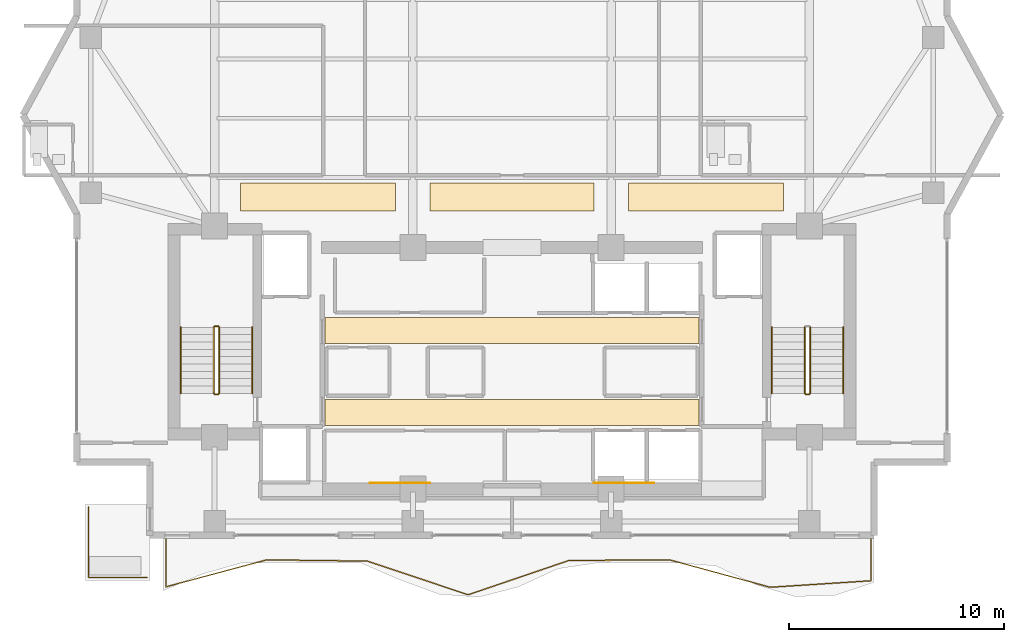
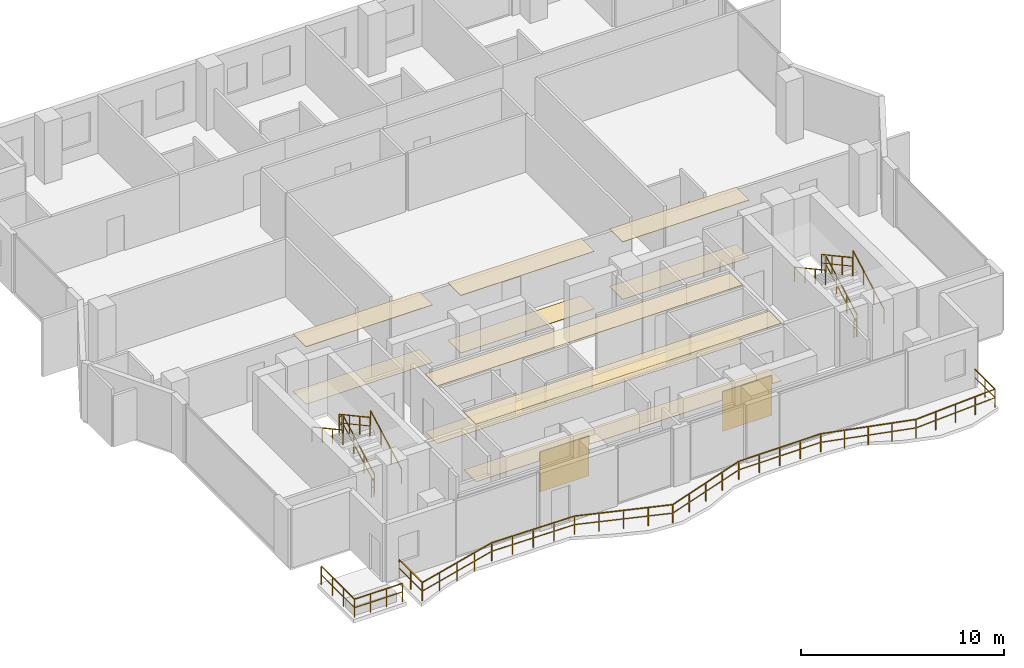
# One storey, part 22 of 25: 13 railings, 12 coverings.
"""IFC4 building model written with IfcOpenShell, lengths in metres."""

from ifc_helpers import new_model, si_unit, direction, frame, origin, origin_2d, place, context, subcontext, project, spatial, polyline, rectangle, outline, extrude, material, layer, layer_set, type_object, element, save


model = new_model("IFC4")

# Units and contexts
model_context = context("Model", 3, precision=1e-05, world=origin(), true_north=direction((0.0, 1.0)))
body_context = subcontext(model_context, "Body", "Model", "MODEL_VIEW")
ifc_project = project(units=[si_unit("LENGTHUNIT", "METRE"), si_unit("AREAUNIT", "SQUARE_METRE"), si_unit("VOLUMEUNIT", "CUBIC_METRE"), si_unit("PLANEANGLEUNIT", "RADIAN"), si_unit("MASSUNIT", "GRAM", prefix="KILO")], contexts=[model_context])

# Site, building, storey
site_placement = place(None, origin())
site = spatial("IfcSite", under=ifc_project, at=site_placement, CompositionType="ELEMENT")
building_placement = place(site_placement, origin())
building = spatial("IfcBuilding", under=site, at=building_placement, Name="Zuhayl Quay Hotel", CompositionType="ELEMENT")
storey_placement = place(building_placement, frame((0.0, 0.0, 243.35009765625)))
storey = spatial("IfcBuildingStorey", under=building, at=storey_placement, Name="L61", CompositionType="ELEMENT", Elevation=243.35009765625)

# Coverings
ifc_material_1 = material(Name="Acoustic Mineral-Fibre Gypsum Board")
ifc_layer_1 = layer(ifc_material_1, 0.02490234375, Name="Acoustic Mineral-Fibre Gypsum Board")
ifc_layer_set_1 = layer_set([ifc_layer_1], Name="Acoustic Mineral-Fibre Gypsum Board")
covering_type_1 = type_object("IfcCoveringType", Name="CV_CEIL_ACOUSTIC", PredefinedType="CEILING", material=ifc_layer_set_1)
covering_1_placement = place(storey_placement, frame((0.0, 0.0, 3.454833984375)))
element("IfcCovering", 1, at=covering_1_placement, inside=storey, type_object=covering_type_1, Name="L61 Suspended Acoustic Lobby Ceiling S", PredefinedType="CEILING", context=body_context, shape_type="SweptSolid", body=[
    extrude(outline(polyline([(-8.679931640625, 5.10009765625), (8.679931640625, 5.10009765625), (8.679931640625, 6.300048828125), (-8.679931640625, 6.300048828125), (-8.679931640625, 5.10009765625)])), origin(), (0.0, 0.0, 1.0), 0.025146484375),
])
covering_2_placement = place(storey_placement, frame((0.0, 0.0, 3.454833984375)))
element("IfcCovering", 2, at=covering_2_placement, inside=storey, type_object=covering_type_1, Name="L61 Suspended Acoustic Lobby Ceiling N", PredefinedType="CEILING", context=body_context, shape_type="SweptSolid", body=[
    extrude(outline(polyline([(-8.679931640625, 8.89990234375), (8.679931640625, 8.89990234375), (8.679931640625, 10.10009765625), (-8.679931640625, 10.10009765625), (-8.679931640625, 8.89990234375)])), origin(), (0.0, 0.0, 1.0), 0.025146484375),
])
covering_3_placement = place(storey_placement, frame((0.0, 0.0, 3.454833984375)))
element("IfcCovering", 3, at=covering_3_placement, inside=storey, type_object=covering_type_1, Name="L61 Guest Corridor Acoustic Ceiling CW", PredefinedType="CEILING", context=body_context, shape_type="SweptSolid", body=[
    extrude(outline(polyline([(-12.60009765625, 15.050048828125), (-5.39990234375, 15.050048828125), (-5.39990234375, 16.35009765625), (-12.60009765625, 16.35009765625), (-12.60009765625, 15.050048828125)])), origin(), (0.0, 0.0, 1.0), 0.025146484375),
])
covering_4_placement = place(storey_placement, frame((0.0, 0.0, 3.454833984375)))
element("IfcCovering", 4, at=covering_4_placement, inside=storey, type_object=covering_type_1, Name="L61 Guest Corridor Acoustic Ceiling CC", PredefinedType="CEILING", context=body_context, shape_type="SweptSolid", body=[
    extrude(outline(polyline([(-3.800048828125, 15.050048828125), (3.800048828125, 15.050048828125), (3.800048828125, 16.35009765625), (-3.800048828125, 16.35009765625), (-3.800048828125, 15.050048828125)])), origin(), (0.0, 0.0, 1.0), 0.025146484375),
])
covering_5_placement = place(storey_placement, frame((0.0, 0.0, 3.454833984375)))
element("IfcCovering", 5, at=covering_5_placement, inside=storey, type_object=covering_type_1, Name="L61 Guest Corridor Acoustic Ceiling CE", PredefinedType="CEILING", context=body_context, shape_type="SweptSolid", body=[
    extrude(outline(polyline([(5.39990234375, 15.050048828125), (12.60009765625, 15.050048828125), (12.60009765625, 16.35009765625), (5.39990234375, 16.35009765625), (5.39990234375, 15.050048828125)])), origin(), (0.0, 0.0, 1.0), 0.025146484375),
])
ifc_material_2 = material(Name="Polished Limestone Terrazzo", Category="masonry")
ifc_layer_2 = layer(ifc_material_2, 0.02001953125, Name="Polished Limestone Terrazzo", Category="masonry")
ifc_layer_set_2 = layer_set([ifc_layer_2], Name="Polished Limestone Terrazzo")
covering_type_2 = type_object("IfcCoveringType", Name="CV_FLOOR_TERRAZZO", PredefinedType="FLOORING", material=ifc_layer_set_2)
covering_6_placement = place(storey_placement, origin())
element("IfcCovering", 6, at=covering_6_placement, inside=storey, type_object=covering_type_2, Name="L61 Honed Limestone Terrazzo Lobby Flooring S", PredefinedType="FLOORING", context=body_context, shape_type="SweptSolid", body=[
    extrude(outline(polyline([(-8.679931640625, 5.10009765625), (8.679931640625, 5.10009765625), (8.679931640625, 6.300048828125), (-8.679931640625, 6.300048828125), (-8.679931640625, 5.10009765625)])), origin(), (0.0, 0.0, 1.0), 0.02001953125),
])
covering_7_placement = place(storey_placement, origin())
element("IfcCovering", 7, at=covering_7_placement, inside=storey, type_object=covering_type_2, Name="L61 Honed Limestone Terrazzo Lobby Flooring N", PredefinedType="FLOORING", context=body_context, shape_type="SweptSolid", body=[
    extrude(outline(polyline([(-8.679931640625, 8.89990234375), (8.679931640625, 8.89990234375), (8.679931640625, 10.10009765625), (-8.679931640625, 10.10009765625), (-8.679931640625, 8.89990234375)])), origin(), (0.0, 0.0, 1.0), 0.02001953125),
])
covering_8_placement = place(storey_placement, origin())
element("IfcCovering", 8, at=covering_8_placement, inside=storey, type_object=covering_type_2, Name="L61 Guest Corridor Terrazzo Runner CW", PredefinedType="FLOORING", context=body_context, shape_type="SweptSolid", body=[
    extrude(outline(polyline([(-12.60009765625, 15.050048828125), (-5.39990234375, 15.050048828125), (-5.39990234375, 16.35009765625), (-12.60009765625, 16.35009765625), (-12.60009765625, 15.050048828125)])), origin(), (0.0, 0.0, 1.0), 0.02001953125),
])
covering_9_placement = place(storey_placement, origin())
element("IfcCovering", 9, at=covering_9_placement, inside=storey, type_object=covering_type_2, Name="L61 Guest Corridor Terrazzo Runner CC", PredefinedType="FLOORING", context=body_context, shape_type="SweptSolid", body=[
    extrude(outline(polyline([(-3.800048828125, 15.050048828125), (3.800048828125, 15.050048828125), (3.800048828125, 16.35009765625), (-3.800048828125, 16.35009765625), (-3.800048828125, 15.050048828125)])), origin(), (0.0, 0.0, 1.0), 0.02001953125),
])
covering_10_placement = place(storey_placement, origin())
element("IfcCovering", 10, at=covering_10_placement, inside=storey, type_object=covering_type_2, Name="L61 Guest Corridor Terrazzo Runner CE", PredefinedType="FLOORING", context=body_context, shape_type="SweptSolid", body=[
    extrude(outline(polyline([(5.39990234375, 15.050048828125), (12.60009765625, 15.050048828125), (12.60009765625, 16.35009765625), (5.39990234375, 16.35009765625), (5.39990234375, 15.050048828125)])), origin(), (0.0, 0.0, 1.0), 0.02001953125),
])
ifc_material_3 = material(Name="Acoustic Walnut Feature Timber", Category="wood")
ifc_layer_3 = layer(ifc_material_3, 0.02197265625, Name="Acoustic Walnut Feature Timber", Category="wood")
ifc_layer_set_3 = layer_set([ifc_layer_3], Name="Acoustic Walnut Feature Timber")
covering_type_3 = type_object("IfcCoveringType", Name="CV_WALL_CLAD", PredefinedType="CLADDING", material=ifc_layer_set_3)
for number, where, z_axis, x_axis, name in (
    (11, (-5.199951171875, 2.43603515625, 0.300048828125), (0.0, 0.0, 1.0), (1.0, 0.0, 0.0), "L61 Feature Lobby Walnut Wall Cladding W"),
    (12, (5.199951171875, 2.43603515625, 0.300048828125), (0.0, 0.0, 1.0), (1.0, 0.0, 0.0), "L61 Feature Lobby Walnut Wall Cladding E"),
):
    element("IfcCovering", number, at=place(storey_placement, frame(where, z_axis=z_axis, x_axis=x_axis)), inside=storey, type_object=covering_type_3, Name=name, PredefinedType="CLADDING", context=body_context, shape_type="SweptSolid", body=[
        extrude(rectangle(XDim=2.800048828125, YDim=0.02197265625, at=origin_2d()), origin(), (0.0, 0.0, 1.0), 2.39990234375),
    ])

# Railings
ifc_material_4 = material(Name="Anodised Aluminium and Laminated Glass", Category="aluminium")
railing_type_1 = type_object("IfcRailingType", Name="RL_EXT_BAL_1100", PredefinedType="BALUSTRADE", material=ifc_material_4)
railing_1_placement = place(storey_placement, frame((-16.06005859375, -0.1201171875, 0.0)))
element("IfcRailing", 13, at=railing_1_placement, inside=storey, type_object=railing_type_1, Name="L61 Balcony and Terrace Guard GR_L61_BAL_S", PredefinedType="BALUSTRADE", context=body_context, shape_type="SweptSolid", body=[
    extrude(rectangle(XDim=0.048095703125, YDim=0.048095703125, at=origin_2d()), frame((0.0, 0.0, 1.09619140625), z_axis=(0.0, -1.0, 0.0), x_axis=(1.0, 0.0, 0.0)), (0.0, 0.0, 1.0), 2.271484375),
    extrude(rectangle(XDim=0.0361328125, YDim=0.0361328125, at=origin_2d()), frame((0.0, 0.0, 0.58251953125), z_axis=(0.0, -1.0, 0.0), x_axis=(1.0, 0.0, 0.0)), (0.0, 0.0, 1.0), 2.271484375),
    extrude(rectangle(XDim=0.048095703125, YDim=0.048095703125, at=origin_2d()), frame((0.0, -2.271484375, 1.09619140625), z_axis=(0.965965612369, 0.258670515754, 0.0), x_axis=(-0.258670515754, 0.965965612369, 0.0)), (0.0, 0.0, 1.0), 4.839111328125),
    extrude(rectangle(XDim=0.0361328125, YDim=0.0361328125, at=origin_2d()), frame((0.0, -2.271484375, 0.58251953125), z_axis=(0.965965612369, 0.258670515754, 0.0), x_axis=(-0.258670515754, 0.965965612369, 0.0)), (0.0, 0.0, 1.0), 4.839111328125),
    extrude(rectangle(XDim=0.048095703125, YDim=0.048095703125, at=origin_2d()), frame((4.67431640625, -1.019775390625, 1.09619140625), z_axis=(0.999925321264, -0.012220961307, 0.0), x_axis=(0.012220961307, 0.999925321264, 0.0)), (0.0, 0.0, 1.0), 4.674560546875),
    extrude(rectangle(XDim=0.0361328125, YDim=0.0361328125, at=origin_2d()), frame((4.67431640625, -1.019775390625, 0.58251953125), z_axis=(0.999925321264, -0.012220961307, 0.0), x_axis=(0.012220961307, 0.999925321264, 0.0)), (0.0, 0.0, 1.0), 4.674560546875),
    extrude(rectangle(XDim=0.048095703125, YDim=0.048095703125, at=origin_2d()), frame((9.3486328125, -1.076904296875, 1.09619140625), z_axis=(0.948385672641, -0.317119245599, 0.0), x_axis=(0.317119245599, 0.948385672641, 0.0)), (0.0, 0.0, 1.0), 4.9287109375),
    extrude(rectangle(XDim=0.0361328125, YDim=0.0361328125, at=origin_2d()), frame((9.3486328125, -1.076904296875, 0.58251953125), z_axis=(0.948385672641, -0.317119245599, 0.0), x_axis=(0.317119245599, 0.948385672641, 0.0)), (0.0, 0.0, 1.0), 4.9287109375),
    extrude(rectangle(XDim=0.048095703125, YDim=0.048095703125, at=origin_2d()), frame((14.02294921875, -2.639892578125, 1.09619140625), z_axis=(0.946661780078, 0.322228915741, 0.0), x_axis=(-0.322228915741, 0.946661780078, 0.0)), (0.0, 0.0, 1.0), 4.937744140625),
    extrude(rectangle(XDim=0.0361328125, YDim=0.0361328125, at=origin_2d()), frame((14.02294921875, -2.639892578125, 0.58251953125), z_axis=(0.946661780078, 0.322228915741, 0.0), x_axis=(-0.322228915741, 0.946661780078, 0.0)), (0.0, 0.0, 1.0), 4.937744140625),
    extrude(rectangle(XDim=0.048095703125, YDim=0.048095703125, at=origin_2d()), frame((18.697265625, -1.048828125, 1.09619140625), z_axis=(0.999980682959, 0.006215602051, 0.0), x_axis=(-0.006215602051, 0.999980682959, 0.0)), (0.0, 0.0, 1.0), 4.674072265625),
    extrude(rectangle(XDim=0.0361328125, YDim=0.0361328125, at=origin_2d()), frame((18.697265625, -1.048828125, 0.58251953125), z_axis=(0.999980682959, 0.006215602051, 0.0), x_axis=(-0.006215602051, 0.999980682959, 0.0)), (0.0, 0.0, 1.0), 4.674072265625),
    extrude(rectangle(XDim=0.048095703125, YDim=0.048095703125, at=origin_2d()), frame((23.371337890625, -1.019775390625, 1.09619140625), z_axis=(0.964912533593, -0.262571518856, 0.0), x_axis=(0.262571518856, 0.964912533593, 0.0)), (0.0, 0.0, 1.0), 4.84423828125),
    extrude(rectangle(XDim=0.0361328125, YDim=0.0361328125, at=origin_2d()), frame((23.371337890625, -1.019775390625, 0.58251953125), z_axis=(0.964912533593, -0.262571518856, 0.0), x_axis=(0.262571518856, 0.964912533593, 0.0)), (0.0, 0.0, 1.0), 4.84423828125),
    extrude(rectangle(XDim=0.048095703125, YDim=0.048095703125, at=origin_2d()), frame((28.045654296875, -2.291748046875, 1.09619140625), z_axis=(0.997912651022, 0.064578176884, 0.0), x_axis=(-0.064578176884, 0.997912651022, 0.0)), (0.0, 0.0, 1.0), 4.68408203125),
    extrude(rectangle(XDim=0.0361328125, YDim=0.0361328125, at=origin_2d()), frame((28.045654296875, -2.291748046875, 0.58251953125), z_axis=(0.997912651022, 0.064578176884, 0.0), x_axis=(-0.064578176884, 0.997912651022, 0.0)), (0.0, 0.0, 1.0), 4.68408203125),
    extrude(rectangle(XDim=0.048095703125, YDim=0.048095703125, at=origin_2d()), frame((32.719970703125, -1.9892578125, 1.09619140625), z_axis=(0.0, 1.0, 0.0), x_axis=(-1.0, 0.0, 0.0)), (0.0, 0.0, 1.0), 1.9892578125),
    extrude(rectangle(XDim=0.0361328125, YDim=0.0361328125, at=origin_2d()), frame((32.719970703125, -1.9892578125, 0.58251953125), z_axis=(0.0, 1.0, 0.0), x_axis=(-1.0, 0.0, 0.0)), (0.0, 0.0, 1.0), 1.9892578125),
    extrude(rectangle(XDim=0.0419921875, YDim=0.0419921875, at=origin_2d()), origin(), (0.0, 0.0, 1.0), 1.072021484375),
    extrude(rectangle(XDim=0.0419921875, YDim=0.0419921875, at=origin_2d()), frame((0.0, -1.1357421875, 0.0)), (0.0, 0.0, 1.0), 1.072021484375),
    extrude(rectangle(XDim=0.0419921875, YDim=0.0419921875, at=origin_2d()), frame((0.0, -2.271484375, 0.0)), (0.0, 0.0, 1.0), 1.072021484375),
    extrude(rectangle(XDim=0.0419921875, YDim=0.0419921875, at=origin_2d()), frame((1.16845703125, -1.95849609375, 0.0)), (0.0, 0.0, 1.0), 1.072021484375),
    extrude(rectangle(XDim=0.0419921875, YDim=0.0419921875, at=origin_2d()), frame((2.337158203125, -1.6455078125, 0.0)), (0.0, 0.0, 1.0), 1.072021484375),
    extrude(rectangle(XDim=0.0419921875, YDim=0.0419921875, at=origin_2d()), frame((3.505859375, -1.332763671875, 0.0)), (0.0, 0.0, 1.0), 1.072021484375),
    extrude(rectangle(XDim=0.0419921875, YDim=0.0419921875, at=origin_2d()), frame((4.67431640625, -1.019775390625, 0.0)), (0.0, 0.0, 1.0), 1.072021484375),
    extrude(rectangle(XDim=0.0419921875, YDim=0.0419921875, at=origin_2d()), frame((5.8427734375, -1.0341796875, 0.0)), (0.0, 0.0, 1.0), 1.072021484375),
    extrude(rectangle(XDim=0.0419921875, YDim=0.0419921875, at=origin_2d()), frame((7.011474609375, -1.04833984375, 0.0)), (0.0, 0.0, 1.0), 1.072021484375),
    extrude(rectangle(XDim=0.0419921875, YDim=0.0419921875, at=origin_2d()), frame((8.18017578125, -1.0625, 0.0)), (0.0, 0.0, 1.0), 1.072021484375),
    extrude(rectangle(XDim=0.0419921875, YDim=0.0419921875, at=origin_2d()), frame((9.3486328125, -1.076904296875, 0.0)), (0.0, 0.0, 1.0), 1.072021484375),
    extrude(rectangle(XDim=0.0419921875, YDim=0.0419921875, at=origin_2d()), frame((10.51708984375, -1.4677734375, 0.0)), (0.0, 0.0, 1.0), 1.072021484375),
    extrude(rectangle(XDim=0.0419921875, YDim=0.0419921875, at=origin_2d()), frame((11.685791015625, -1.8583984375, 0.0)), (0.0, 0.0, 1.0), 1.072021484375),
    extrude(rectangle(XDim=0.0419921875, YDim=0.0419921875, at=origin_2d()), frame((12.8544921875, -2.2490234375, 0.0)), (0.0, 0.0, 1.0), 1.072021484375),
    extrude(rectangle(XDim=0.0419921875, YDim=0.0419921875, at=origin_2d()), frame((14.02294921875, -2.639892578125, 0.0)), (0.0, 0.0, 1.0), 1.072021484375),
    extrude(rectangle(XDim=0.0419921875, YDim=0.0419921875, at=origin_2d()), frame((15.19140625, -2.2421875, 0.0)), (0.0, 0.0, 1.0), 1.072021484375),
    extrude(rectangle(XDim=0.0419921875, YDim=0.0419921875, at=origin_2d()), frame((16.360107421875, -1.84423828125, 0.0)), (0.0, 0.0, 1.0), 1.072021484375),
    extrude(rectangle(XDim=0.0419921875, YDim=0.0419921875, at=origin_2d()), frame((17.52880859375, -1.446533203125, 0.0)), (0.0, 0.0, 1.0), 1.072021484375),
    extrude(rectangle(XDim=0.0419921875, YDim=0.0419921875, at=origin_2d()), frame((18.697265625, -1.048828125, 0.0)), (0.0, 0.0, 1.0), 1.072021484375),
    extrude(rectangle(XDim=0.0419921875, YDim=0.0419921875, at=origin_2d()), frame((19.86572265625, -1.04150390625, 0.0)), (0.0, 0.0, 1.0), 1.072021484375),
    extrude(rectangle(XDim=0.0419921875, YDim=0.0419921875, at=origin_2d()), frame((21.0341796875, -1.0341796875, 0.0)), (0.0, 0.0, 1.0), 1.072021484375),
    extrude(rectangle(XDim=0.0419921875, YDim=0.0419921875, at=origin_2d()), frame((22.202880859375, -1.027099609375, 0.0)), (0.0, 0.0, 1.0), 1.072021484375),
    extrude(rectangle(XDim=0.0419921875, YDim=0.0419921875, at=origin_2d()), frame((23.371337890625, -1.019775390625, 0.0)), (0.0, 0.0, 1.0), 1.072021484375),
    extrude(rectangle(XDim=0.0419921875, YDim=0.0419921875, at=origin_2d()), frame((24.5400390625, -1.337890625, 0.0)), (0.0, 0.0, 1.0), 1.072021484375),
    extrude(rectangle(XDim=0.0419921875, YDim=0.0419921875, at=origin_2d()), frame((25.70849609375, -1.65576171875, 0.0)), (0.0, 0.0, 1.0), 1.072021484375),
    extrude(rectangle(XDim=0.0419921875, YDim=0.0419921875, at=origin_2d()), frame((26.876953125, -1.9736328125, 0.0)), (0.0, 0.0, 1.0), 1.072021484375),
    extrude(rectangle(XDim=0.0419921875, YDim=0.0419921875, at=origin_2d()), frame((28.045654296875, -2.291748046875, 0.0)), (0.0, 0.0, 1.0), 1.072021484375),
    extrude(rectangle(XDim=0.0419921875, YDim=0.0419921875, at=origin_2d()), frame((29.21435546875, -2.216064453125, 0.0)), (0.0, 0.0, 1.0), 1.072021484375),
    extrude(rectangle(XDim=0.0419921875, YDim=0.0419921875, at=origin_2d()), frame((30.3828125, -2.140625, 0.0)), (0.0, 0.0, 1.0), 1.072021484375),
    extrude(rectangle(XDim=0.0419921875, YDim=0.0419921875, at=origin_2d()), frame((31.55126953125, -2.06494140625, 0.0)), (0.0, 0.0, 1.0), 1.072021484375),
    extrude(rectangle(XDim=0.0419921875, YDim=0.0419921875, at=origin_2d()), frame((32.719970703125, -1.9892578125, 0.0)), (0.0, 0.0, 1.0), 1.072021484375),
    extrude(rectangle(XDim=0.0419921875, YDim=0.0419921875, at=origin_2d()), frame((32.719970703125, -0.99462890625, 0.0)), (0.0, 0.0, 1.0), 1.072021484375),
    extrude(rectangle(XDim=0.0419921875, YDim=0.0419921875, at=origin_2d()), frame((32.719970703125, 0.0, 0.0)), (0.0, 0.0, 1.0), 1.072021484375),
])
railing_2_placement = place(storey_placement, frame((-19.659912109375, 1.31005859375, 0.0)))
element("IfcRailing", 14, at=railing_2_placement, inside=storey, type_object=railing_type_1, Name="L61 Balcony and Terrace Guard GR_L61_SPIRAL_SW", PredefinedType="BALUSTRADE", context=body_context, shape_type="SweptSolid", body=[
    extrude(rectangle(XDim=0.048095703125, YDim=0.048095703125, at=origin_2d()), frame((0.0, 0.0, 1.09619140625), z_axis=(0.0, -1.0, 0.0), x_axis=(1.0, 0.0, 0.0)), (0.0, 0.0, 1.0), 3.27001953125),
    extrude(rectangle(XDim=0.0361328125, YDim=0.0361328125, at=origin_2d()), frame((0.0, 0.0, 0.58251953125), z_axis=(0.0, -1.0, 0.0), x_axis=(1.0, 0.0, 0.0)), (0.0, 0.0, 1.0), 3.27001953125),
    extrude(rectangle(XDim=0.048095703125, YDim=0.048095703125, at=origin_2d()), frame((0.0, -3.27001953125, 1.09619140625), z_axis=(1.0, 0.0, 0.0), x_axis=(0.0, 1.0, 0.0)), (0.0, 0.0, 1.0), 2.719970703125),
    extrude(rectangle(XDim=0.0361328125, YDim=0.0361328125, at=origin_2d()), frame((0.0, -3.27001953125, 0.58251953125), z_axis=(1.0, 0.0, 0.0), x_axis=(0.0, 1.0, 0.0)), (0.0, 0.0, 1.0), 2.719970703125),
    extrude(rectangle(XDim=0.0419921875, YDim=0.0419921875, at=origin_2d()), origin(), (0.0, 0.0, 1.0), 1.072021484375),
    extrude(rectangle(XDim=0.0419921875, YDim=0.0419921875, at=origin_2d()), frame((0.0, -1.090087890625, 0.0)), (0.0, 0.0, 1.0), 1.072021484375),
    extrude(rectangle(XDim=0.0419921875, YDim=0.0419921875, at=origin_2d()), frame((0.0, -2.179931640625, 0.0)), (0.0, 0.0, 1.0), 1.072021484375),
    extrude(rectangle(XDim=0.0419921875, YDim=0.0419921875, at=origin_2d()), frame((0.0, -3.27001953125, 0.0)), (0.0, 0.0, 1.0), 1.072021484375),
    extrude(rectangle(XDim=0.0419921875, YDim=0.0419921875, at=origin_2d()), frame((0.90673828125, -3.27001953125, 0.0)), (0.0, 0.0, 1.0), 1.072021484375),
    extrude(rectangle(XDim=0.0419921875, YDim=0.0419921875, at=origin_2d()), frame((1.813232421875, -3.27001953125, 0.0)), (0.0, 0.0, 1.0), 1.072021484375),
    extrude(rectangle(XDim=0.0419921875, YDim=0.0419921875, at=origin_2d()), frame((2.719970703125, -3.27001953125, 0.0)), (0.0, 0.0, 1.0), 1.072021484375),
])
ifc_material_5 = material(Name="Steel ASTM A992 Grade 50", Category="steel")
railing_type_2 = type_object("IfcRailingType", Name="RL_GUARD_1100", PredefinedType="GUARDRAIL", material=ifc_material_5)
railing_3_placement = place(storey_placement, frame((-13.590087890625, 6.590087890625, 0.184814453125)))
element("IfcRailing", 15, at=railing_3_placement, inside=storey, type_object=railing_type_2, Name="L61 ST1 stair guard 1", PredefinedType="GUARDRAIL", context=body_context, shape_type="SweptSolid", body=[
    extrude(rectangle(XDim=0.048095703125, YDim=0.048095703125, at=origin_2d()), frame((0.0, 0.0, 1.09619140625), z_axis=(0.0, 0.878371892512, 0.477977843049), x_axis=(-1.0, 0.0, 0.0)), (0.0, 0.0, 1.0), 3.4833984375),
    extrude(rectangle(XDim=0.0361328125, YDim=0.0361328125, at=origin_2d()), frame((0.0, 0.0, 0.58251953125), z_axis=(0.0, 0.878371892512, 0.477977843049), x_axis=(-1.0, 0.0, 0.0)), (0.0, 0.0, 1.0), 3.4833984375),
    extrude(rectangle(XDim=0.0419921875, YDim=0.0419921875, at=origin_2d()), origin(), (0.0, 0.0, 1.0), 1.072021484375),
    extrude(rectangle(XDim=0.0419921875, YDim=0.0419921875, at=origin_2d()), frame((0.0, 1.02001953125, 0.554931640625)), (0.0, 0.0, 1.0), 1.072021484375),
    extrude(rectangle(XDim=0.0419921875, YDim=0.0419921875, at=origin_2d()), frame((0.0, 2.039794921875, 1.110107421875)), (0.0, 0.0, 1.0), 1.072021484375),
    extrude(rectangle(XDim=0.0419921875, YDim=0.0419921875, at=origin_2d()), frame((0.0, 3.059814453125, 1.6650390625)), (0.0, 0.0, 1.0), 1.072021484375),
])
railing_4_placement = place(storey_placement, frame((-13.639892578125, 9.699951171875, 1.849853515625)))
element("IfcRailing", 16, at=railing_4_placement, inside=storey, type_object=railing_type_2, Name="L61 ST1 stair guard 2", PredefinedType="GUARDRAIL", context=body_context, shape_type="SweptSolid", body=[
    extrude(rectangle(XDim=0.048095703125, YDim=0.048095703125, at=origin_2d()), frame((0.0, 0.0, 1.09619140625), z_axis=(-1.0, 0.0, 0.0), x_axis=(0.0, -1.0, 0.0)), (0.0, 0.0, 1.0), 0.150146484375),
    extrude(rectangle(XDim=0.0361328125, YDim=0.0361328125, at=origin_2d()), frame((0.0, 0.0, 0.58251953125), z_axis=(-1.0, 0.0, 0.0), x_axis=(0.0, -1.0, 0.0)), (0.0, 0.0, 1.0), 0.150146484375),
    extrude(rectangle(XDim=0.0419921875, YDim=0.0419921875, at=origin_2d()), origin(), (0.0, 0.0, 1.0), 1.072021484375),
    extrude(rectangle(XDim=0.0419921875, YDim=0.0419921875, at=origin_2d()), frame((-0.150146484375, 0.0, 0.0)), (0.0, 0.0, 1.0), 1.072021484375),
])
railing_5_placement = place(storey_placement, frame((-13.840087890625, 9.64990234375, 2.034912109375)))
element("IfcRailing", 17, at=railing_5_placement, inside=storey, type_object=railing_type_2, Name="L61 ST1 stair guard 3", PredefinedType="GUARDRAIL", context=body_context, shape_type="SweptSolid", body=[
    extrude(rectangle(XDim=0.048095703125, YDim=0.048095703125, at=origin_2d()), frame((0.0, 0.0, 1.09619140625), z_axis=(0.0, -0.878371892512, 0.477977843049), x_axis=(1.0, 0.0, 0.0)), (0.0, 0.0, 1.0), 3.4833984375),
    extrude(rectangle(XDim=0.0361328125, YDim=0.0361328125, at=origin_2d()), frame((0.0, 0.0, 0.58251953125), z_axis=(0.0, -0.878371892512, 0.477977843049), x_axis=(1.0, 0.0, 0.0)), (0.0, 0.0, 1.0), 3.4833984375),
    extrude(rectangle(XDim=0.0419921875, YDim=0.0419921875, at=origin_2d()), origin(), (0.0, 0.0, 1.0), 1.072021484375),
    extrude(rectangle(XDim=0.0419921875, YDim=0.0419921875, at=origin_2d()), frame((0.0, -1.02001953125, 0.554931640625)), (0.0, 0.0, 1.0), 1.072021484375),
    extrude(rectangle(XDim=0.0419921875, YDim=0.0419921875, at=origin_2d()), frame((0.0, -2.039794921875, 1.110107421875)), (0.0, 0.0, 1.0), 1.072021484375),
    extrude(rectangle(XDim=0.0419921875, YDim=0.0419921875, at=origin_2d()), frame((0.0, -3.059814453125, 1.6650390625)), (0.0, 0.0, 1.0), 1.072021484375),
])
railing_6_placement = place(storey_placement, frame((-13.639892578125, 6.5400390625, 0.0)))
element("IfcRailing", 18, at=railing_6_placement, inside=storey, type_object=railing_type_2, Name="L61 ST1 stair guard 4", PredefinedType="GUARDRAIL", context=body_context, shape_type="SweptSolid", body=[
    extrude(rectangle(XDim=0.048095703125, YDim=0.048095703125, at=origin_2d()), frame((0.0, 0.0, 1.09619140625), z_axis=(-1.0, 0.0, 0.0), x_axis=(0.0, -1.0, 0.0)), (0.0, 0.0, 1.0), 0.150146484375),
    extrude(rectangle(XDim=0.0361328125, YDim=0.0361328125, at=origin_2d()), frame((0.0, 0.0, 0.58251953125), z_axis=(-1.0, 0.0, 0.0), x_axis=(0.0, -1.0, 0.0)), (0.0, 0.0, 1.0), 0.150146484375),
    extrude(rectangle(XDim=0.0419921875, YDim=0.0419921875, at=origin_2d()), origin(), (0.0, 0.0, 1.0), 1.072021484375),
    extrude(rectangle(XDim=0.0419921875, YDim=0.0419921875, at=origin_2d()), frame((-0.150146484375, 0.0, 0.0)), (0.0, 0.0, 1.0), 1.072021484375),
])
railing_7_placement = place(storey_placement, frame((13.840087890625, 6.590087890625, 0.184814453125)))
element("IfcRailing", 19, at=railing_7_placement, inside=storey, type_object=railing_type_2, Name="L61 ST2 stair guard 1", PredefinedType="GUARDRAIL", context=body_context, shape_type="SweptSolid", body=[
    extrude(rectangle(XDim=0.048095703125, YDim=0.048095703125, at=origin_2d()), frame((0.0, 0.0, 1.09619140625), z_axis=(0.0, 0.878371892512, 0.477977843049), x_axis=(-1.0, 0.0, 0.0)), (0.0, 0.0, 1.0), 3.4833984375),
    extrude(rectangle(XDim=0.0361328125, YDim=0.0361328125, at=origin_2d()), frame((0.0, 0.0, 0.58251953125), z_axis=(0.0, 0.878371892512, 0.477977843049), x_axis=(-1.0, 0.0, 0.0)), (0.0, 0.0, 1.0), 3.4833984375),
    extrude(rectangle(XDim=0.0419921875, YDim=0.0419921875, at=origin_2d()), origin(), (0.0, 0.0, 1.0), 1.072021484375),
    extrude(rectangle(XDim=0.0419921875, YDim=0.0419921875, at=origin_2d()), frame((0.0, 1.02001953125, 0.554931640625)), (0.0, 0.0, 1.0), 1.072021484375),
    extrude(rectangle(XDim=0.0419921875, YDim=0.0419921875, at=origin_2d()), frame((0.0, 2.039794921875, 1.110107421875)), (0.0, 0.0, 1.0), 1.072021484375),
    extrude(rectangle(XDim=0.0419921875, YDim=0.0419921875, at=origin_2d()), frame((0.0, 3.059814453125, 1.6650390625)), (0.0, 0.0, 1.0), 1.072021484375),
])
railing_8_placement = place(storey_placement, frame((13.590087890625, 9.64990234375, 2.034912109375)))
element("IfcRailing", 20, at=railing_8_placement, inside=storey, type_object=railing_type_2, Name="L61 ST2 stair guard 3", PredefinedType="GUARDRAIL", context=body_context, shape_type="SweptSolid", body=[
    extrude(rectangle(XDim=0.048095703125, YDim=0.048095703125, at=origin_2d()), frame((0.0, 0.0, 1.09619140625), z_axis=(0.0, -0.878371892512, 0.477977843049), x_axis=(1.0, 0.0, 0.0)), (0.0, 0.0, 1.0), 3.4833984375),
    extrude(rectangle(XDim=0.0361328125, YDim=0.0361328125, at=origin_2d()), frame((0.0, 0.0, 0.58251953125), z_axis=(0.0, -0.878371892512, 0.477977843049), x_axis=(1.0, 0.0, 0.0)), (0.0, 0.0, 1.0), 3.4833984375),
    extrude(rectangle(XDim=0.0419921875, YDim=0.0419921875, at=origin_2d()), origin(), (0.0, 0.0, 1.0), 1.072021484375),
    extrude(rectangle(XDim=0.0419921875, YDim=0.0419921875, at=origin_2d()), frame((0.0, -1.02001953125, 0.554931640625)), (0.0, 0.0, 1.0), 1.072021484375),
    extrude(rectangle(XDim=0.0419921875, YDim=0.0419921875, at=origin_2d()), frame((0.0, -2.039794921875, 1.110107421875)), (0.0, 0.0, 1.0), 1.072021484375),
    extrude(rectangle(XDim=0.0419921875, YDim=0.0419921875, at=origin_2d()), frame((0.0, -3.059814453125, 1.6650390625)), (0.0, 0.0, 1.0), 1.072021484375),
])
railing_9_placement = place(storey_placement, frame((13.7900390625, 6.5400390625, 0.0)))
element("IfcRailing", 21, at=railing_9_placement, inside=storey, type_object=railing_type_2, Name="L61 ST2 stair guard 4", PredefinedType="GUARDRAIL", context=body_context, shape_type="SweptSolid", body=[
    extrude(rectangle(XDim=0.048095703125, YDim=0.048095703125, at=origin_2d()), frame((0.0, 0.0, 1.09619140625), z_axis=(-1.0, 0.0, 0.0), x_axis=(0.0, -1.0, 0.0)), (0.0, 0.0, 1.0), 0.150146484375),
    extrude(rectangle(XDim=0.0361328125, YDim=0.0361328125, at=origin_2d()), frame((0.0, 0.0, 0.58251953125), z_axis=(-1.0, 0.0, 0.0), x_axis=(0.0, -1.0, 0.0)), (0.0, 0.0, 1.0), 0.150146484375),
    extrude(rectangle(XDim=0.0419921875, YDim=0.0419921875, at=origin_2d()), origin(), (0.0, 0.0, 1.0), 1.072021484375),
    extrude(rectangle(XDim=0.0419921875, YDim=0.0419921875, at=origin_2d()), frame((-0.150146484375, 0.0, 0.0)), (0.0, 0.0, 1.0), 1.072021484375),
])
railing_type_3 = type_object("IfcRailingType", Name="RL_HANDRAIL_920", PredefinedType="HANDRAIL", material=ifc_material_5)
railing_10_placement = place(storey_placement, frame((-12.050048828125, 6.590087890625, 0.184814453125)))
element("IfcRailing", 22, at=railing_10_placement, inside=storey, type_object=railing_type_3, Name="L61 ST1 stair handrail 1", PredefinedType="HANDRAIL", context=body_context, shape_type="SweptSolid", body=[
    extrude(rectangle(XDim=0.048095703125, YDim=0.048095703125, at=origin_2d()), frame((0.0, 0.0, 0.8759765625), z_axis=(0.0, 0.878371892512, 0.477977843049), x_axis=(-1.0, 0.0, 0.0)), (0.0, 0.0, 1.0), 3.4833984375),
    extrude(rectangle(XDim=0.0419921875, YDim=0.0419921875, at=origin_2d()), origin(), (0.0, 0.0, 1.0), 0.851806640625),
    extrude(rectangle(XDim=0.0419921875, YDim=0.0419921875, at=origin_2d()), frame((0.0, 1.02001953125, 0.554931640625)), (0.0, 0.0, 1.0), 0.851806640625),
    extrude(rectangle(XDim=0.0419921875, YDim=0.0419921875, at=origin_2d()), frame((0.0, 2.039794921875, 1.110107421875)), (0.0, 0.0, 1.0), 0.851806640625),
    extrude(rectangle(XDim=0.0419921875, YDim=0.0419921875, at=origin_2d()), frame((0.0, 3.059814453125, 1.6650390625)), (0.0, 0.0, 1.0), 0.851806640625),
])
railing_11_placement = place(storey_placement, frame((-15.3798828125, 9.64990234375, 2.034912109375)))
element("IfcRailing", 23, at=railing_11_placement, inside=storey, type_object=railing_type_3, Name="L61 ST1 stair handrail 2", PredefinedType="HANDRAIL", context=body_context, shape_type="SweptSolid", body=[
    extrude(rectangle(XDim=0.048095703125, YDim=0.048095703125, at=origin_2d()), frame((0.0, 0.0, 0.8759765625), z_axis=(0.0, -0.878371892512, 0.477977843049), x_axis=(1.0, 0.0, 0.0)), (0.0, 0.0, 1.0), 3.4833984375),
    extrude(rectangle(XDim=0.0419921875, YDim=0.0419921875, at=origin_2d()), origin(), (0.0, 0.0, 1.0), 0.851806640625),
    extrude(rectangle(XDim=0.0419921875, YDim=0.0419921875, at=origin_2d()), frame((0.0, -1.02001953125, 0.554931640625)), (0.0, 0.0, 1.0), 0.851806640625),
    extrude(rectangle(XDim=0.0419921875, YDim=0.0419921875, at=origin_2d()), frame((0.0, -2.039794921875, 1.110107421875)), (0.0, 0.0, 1.0), 0.851806640625),
    extrude(rectangle(XDim=0.0419921875, YDim=0.0419921875, at=origin_2d()), frame((0.0, -3.059814453125, 1.6650390625)), (0.0, 0.0, 1.0), 0.851806640625),
])
railing_12_placement = place(storey_placement, frame((15.3798828125, 6.590087890625, 0.184814453125)))
element("IfcRailing", 24, at=railing_12_placement, inside=storey, type_object=railing_type_3, Name="L61 ST2 stair handrail 1", PredefinedType="HANDRAIL", context=body_context, shape_type="SweptSolid", body=[
    extrude(rectangle(XDim=0.048095703125, YDim=0.048095703125, at=origin_2d()), frame((0.0, 0.0, 0.8759765625), z_axis=(0.0, 0.878371892512, 0.477977843049), x_axis=(-1.0, 0.0, 0.0)), (0.0, 0.0, 1.0), 3.4833984375),
    extrude(rectangle(XDim=0.0419921875, YDim=0.0419921875, at=origin_2d()), origin(), (0.0, 0.0, 1.0), 0.851806640625),
    extrude(rectangle(XDim=0.0419921875, YDim=0.0419921875, at=origin_2d()), frame((0.0, 1.02001953125, 0.554931640625)), (0.0, 0.0, 1.0), 0.851806640625),
    extrude(rectangle(XDim=0.0419921875, YDim=0.0419921875, at=origin_2d()), frame((0.0, 2.039794921875, 1.110107421875)), (0.0, 0.0, 1.0), 0.851806640625),
    extrude(rectangle(XDim=0.0419921875, YDim=0.0419921875, at=origin_2d()), frame((0.0, 3.059814453125, 1.6650390625)), (0.0, 0.0, 1.0), 0.851806640625),
])
railing_13_placement = place(storey_placement, frame((12.050048828125, 9.64990234375, 2.034912109375)))
element("IfcRailing", 25, at=railing_13_placement, inside=storey, type_object=railing_type_3, Name="L61 ST2 stair handrail 2", PredefinedType="HANDRAIL", context=body_context, shape_type="SweptSolid", body=[
    extrude(rectangle(XDim=0.048095703125, YDim=0.048095703125, at=origin_2d()), frame((0.0, 0.0, 0.8759765625), z_axis=(0.0, -0.878371892512, 0.477977843049), x_axis=(1.0, 0.0, 0.0)), (0.0, 0.0, 1.0), 3.4833984375),
    extrude(rectangle(XDim=0.0419921875, YDim=0.0419921875, at=origin_2d()), origin(), (0.0, 0.0, 1.0), 0.851806640625),
    extrude(rectangle(XDim=0.0419921875, YDim=0.0419921875, at=origin_2d()), frame((0.0, -1.02001953125, 0.554931640625)), (0.0, 0.0, 1.0), 0.851806640625),
    extrude(rectangle(XDim=0.0419921875, YDim=0.0419921875, at=origin_2d()), frame((0.0, -2.039794921875, 1.110107421875)), (0.0, 0.0, 1.0), 0.851806640625),
    extrude(rectangle(XDim=0.0419921875, YDim=0.0419921875, at=origin_2d()), frame((0.0, -3.059814453125, 1.6650390625)), (0.0, 0.0, 1.0), 0.851806640625),
])

save(model, "model.ifc")
